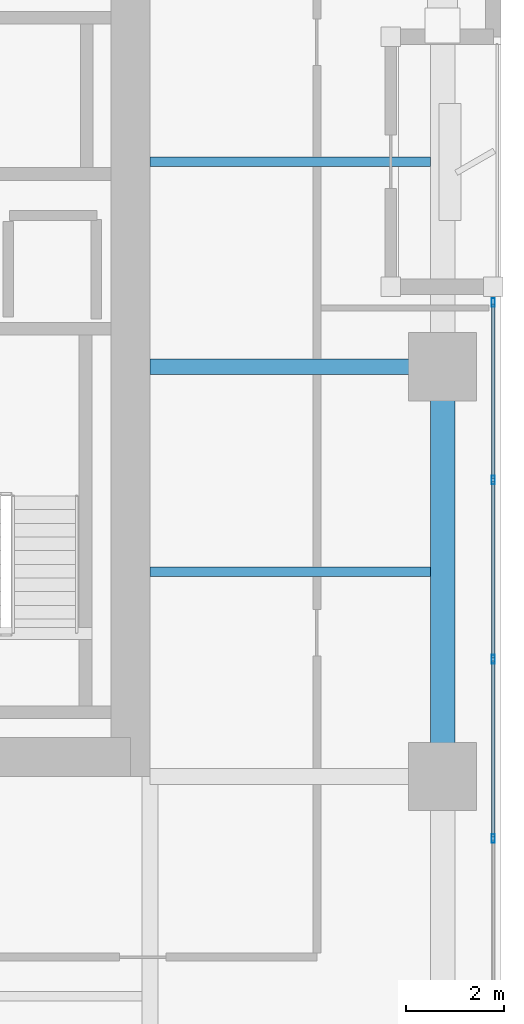
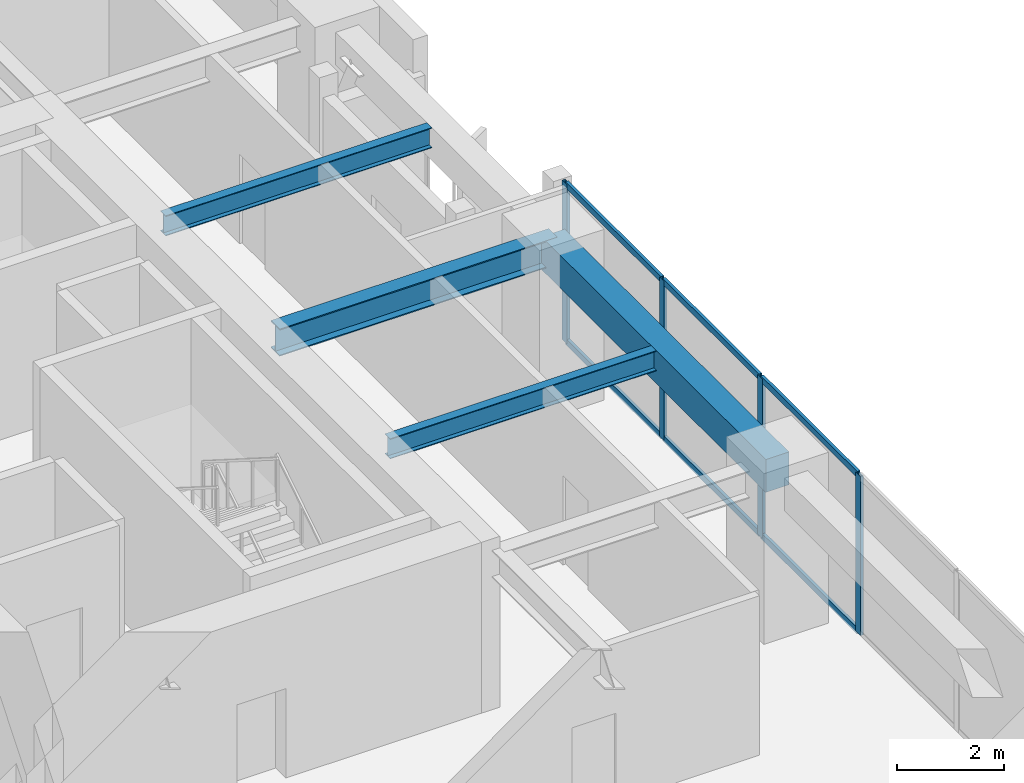
# One storey, part 6 of 24: 10 members, 4 beams, 1 element without a shape of its own.
"""IFC4 building model written with IfcOpenShell, lengths in metres."""

from ifc_helpers import new_model, si_unit, direction, frame, origin, origin_2d, place, context, subcontext, project, spatial, rectangle, hollow_rectangle, i_section, extrude, material, layer, layer_set, material_profile, profile_set, type_object, element, aggregate, save


model = new_model("IFC4")

# Units and contexts
model_context = context("Model", 3, precision=1e-05, world=origin(), true_north=direction((0.0, 1.0)))
body_context = subcontext(model_context, "Body", "Model", "MODEL_VIEW")
ifc_project = project(units=[si_unit("LENGTHUNIT", "METRE"), si_unit("AREAUNIT", "SQUARE_METRE"), si_unit("VOLUMEUNIT", "CUBIC_METRE"), si_unit("PLANEANGLEUNIT", "RADIAN"), si_unit("MASSUNIT", "GRAM", prefix="KILO")], contexts=[model_context])

# Site, building, storey
site_placement = place(None, origin())
site = spatial("IfcSite", under=ifc_project, at=site_placement, CompositionType="ELEMENT")
building_placement = place(site_placement, origin())
building = spatial("IfcBuilding", under=site, at=building_placement, Name="Kiyonajd Concourse Tower", CompositionType="ELEMENT")
storey_placement = place(building_placement, frame((0.0, 0.0, 97.5)))
storey = spatial("IfcBuildingStorey", under=building, at=storey_placement, Name="L25", CompositionType="ELEMENT", Elevation=97.5)

# Beams
ifc_material_1 = material(Name="Steel ASTM A992 Grade 50", Category="steel")
ifc_material_profile_1 = material_profile(ifc_material_1, i_section(OverallWidth=0.19189453125, OverallDepth=0.462890625, WebThickness=0.010498046875, FlangeThickness=0.017578125, at=origin_2d()), Name="W460X89")
ifc_profile_set_1 = profile_set([ifc_material_profile_1], Name="Steel ASTM A992 Grade 50")
beam_type_1 = type_object("IfcBeamType", Name="BM-JST-460B", PredefinedType="JOIST", material=ifc_profile_set_1)
for number, where, z_axis, x_axis, name in (
    (1, (63.60009765625, 31.800048828125, 3.408447265625), (1.0, 0.0, 0.0), (0.0, 1.0, 0.0), "L25 East Secondary Floor Joist"),
    (2, (63.60009765625, 40.199951171875, 3.408447265625), (1.0, 0.0, 0.0), (0.0, 1.0, 0.0), "L25 East Secondary Floor Joist"),
):
    element("IfcBeam", number, at=place(storey_placement, frame(where, z_axis=z_axis, x_axis=x_axis)), inside=storey, type_object=beam_type_1, Name=name, PredefinedType="JOIST", context=body_context, shape_type="SweptSolid", body=[
        extrude(i_section(OverallWidth=0.19189453125, OverallDepth=0.462890625, WebThickness=0.010498046875, FlangeThickness=0.017578125, at=origin_2d()), origin(), (0.0, 0.0, 1.0), 5.75),
    ])
ifc_material_2 = material(Name="Precast concrete C50/60", Category="concrete")
ifc_material_profile_2 = material_profile(ifc_material_2, rectangle(XDim=0.5, YDim=0.75, at=origin_2d()), Name="RCBM-500x750")
ifc_profile_set_2 = profile_set([ifc_material_profile_2], Name="Precast concrete C50/60")
beam_type_2 = type_object("IfcBeamType", Name="BM-SPAN-RC", PredefinedType="SPANDREL", material=ifc_profile_set_2)
beam_1_placement = place(storey_placement, frame((69.60009765625, 27.60009765625, 3.264892578125), z_axis=(0.0, 1.0, 0.0), x_axis=(-1.0, 0.0, 0.0)))
element("IfcBeam", 3, at=beam_1_placement, inside=storey, type_object=beam_type_2, Name="L25 Perimeter Bundled Tube Spandrel", PredefinedType="SPANDREL", context=body_context, shape_type="SweptSolid", body=[
    extrude(rectangle(XDim=0.5, YDim=0.75, at=origin_2d()), origin(), (0.0, 0.0, 1.0), 8.39990234375),
])
ifc_material_profile_3 = material_profile(ifc_material_1, i_section(OverallWidth=0.326904296875, OverallDepth=0.6220703125, WebThickness=0.015380859375, FlangeThickness=0.0244140625, at=origin_2d()), Name="W610X195")
ifc_profile_set_3 = profile_set([ifc_material_profile_3], Name="Steel ASTM A992 Grade 50")
beam_type_3 = type_object("IfcBeamType", Name="BM-TWR-610A", PredefinedType="BEAM", material=ifc_profile_set_3)
beam_2_placement = place(storey_placement, frame((63.60009765625, 36.0, 3.3291015625), z_axis=(1.0, 0.0, 0.0), x_axis=(0.0, 1.0, 0.0)))
element("IfcBeam", 4, at=beam_2_placement, inside=storey, type_object=beam_type_3, Name="L25 East Lease Girder", PredefinedType="BEAM", context=body_context, shape_type="SweptSolid", body=[
    extrude(i_section(OverallWidth=0.326904296875, OverallDepth=0.6220703125, WebThickness=0.015380859375, FlangeThickness=0.0244140625, at=origin_2d()), origin(), (0.0, 0.0, 1.0), 6.0),
])

# Curtain wall, members
ifc_material_3 = material(Name="Thermally Broken Anodised Aluminium", Category="aluminium")
ifc_layer = layer(ifc_material_3, 0.179931640625)
ifc_layer_set = layer_set([ifc_layer], Name="Thermally Broken Anodised Aluminium")
curtain_wall_type = type_object("IfcCurtainWallType", Name="CW-SYS-03", PredefinedType="NOTDEFINED", material=ifc_layer_set)
curtain_wall_placement = place(storey_placement, origin())
curtain_wall = element("IfcCurtainWall", 5, at=curtain_wall_placement, inside=storey, type_object=curtain_wall_type, Name="L25 Unitised Curtain Wall CW3", PredefinedType="NOTDEFINED")
ifc_material_profile_4 = material_profile(ifc_material_3, hollow_rectangle(XDim=0.06494140625, YDim=0.179931640625, WallThickness=0.00390625, at=origin_2d()), Name="MULL-65x180")
ifc_profile_set_4 = profile_set([ifc_material_profile_4], Name="Thermally Broken Anodised Aluminium")
member_type_1 = type_object("IfcMemberType", Name="MB-CW-MULL1", PredefinedType="MULLION", material=ifc_profile_set_4)
member_1_placement = place(storey_placement, frame((70.639892578125, 37.3173828125, 0.0), z_axis=(0.0, 0.0, 1.0), x_axis=(1.0, 0.0, 0.0)))
member_1 = element("IfcMember", 6, at=member_1_placement, type_object=member_type_1, Name="CW3 mullion 1", PredefinedType="MULLION", context=body_context, shape_type="SweptSolid", body=[
    extrude(hollow_rectangle(XDim=0.06494140625, YDim=0.179931640625, WallThickness=0.00390625, at=origin_2d()), origin(), (0.0, 0.0, 1.0), 3.639892578125),
])
member_2_placement = place(storey_placement, frame((70.639892578125, 33.6767578125, 0.0), z_axis=(0.0, 0.0, 1.0), x_axis=(1.0, 0.0, 0.0)))
member_2 = element("IfcMember", 7, at=member_2_placement, type_object=member_type_1, Name="CW3 mullion 2", PredefinedType="MULLION", context=body_context, shape_type="SweptSolid", body=[
    extrude(hollow_rectangle(XDim=0.06494140625, YDim=0.179931640625, WallThickness=0.00390625, at=origin_2d()), origin(), (0.0, 0.0, 1.0), 3.639892578125),
])
member_3_placement = place(storey_placement, frame((70.639892578125, 30.003662109375, 0.0), z_axis=(0.0, 0.0, 1.0), x_axis=(1.0, 0.0, 0.0)))
member_3 = element("IfcMember", 8, at=member_3_placement, type_object=member_type_1, Name="CW3 mullion 3", PredefinedType="MULLION", context=body_context, shape_type="SweptSolid", body=[
    extrude(hollow_rectangle(XDim=0.06494140625, YDim=0.179931640625, WallThickness=0.00390625, at=origin_2d()), origin(), (0.0, 0.0, 1.0), 3.639892578125),
])
member_4_placement = place(storey_placement, frame((70.639892578125, 26.33056640625, 0.0), z_axis=(0.0, 0.0, 1.0), x_axis=(1.0, 0.0, 0.0)))
member_4 = element("IfcMember", 9, at=member_4_placement, type_object=member_type_1, Name="CW3 mullion 4", PredefinedType="MULLION", context=body_context, shape_type="SweptSolid", body=[
    extrude(hollow_rectangle(XDim=0.06494140625, YDim=0.179931640625, WallThickness=0.00390625, at=origin_2d()), origin(), (0.0, 0.0, 1.0), 3.639892578125),
])
ifc_material_profile_5 = material_profile(ifc_material_3, hollow_rectangle(XDim=0.06494140625, YDim=0.139892578125, WallThickness=0.00390625, at=origin_2d()), Name="TRAN-65x140")
ifc_profile_set_5 = profile_set([ifc_material_profile_5], Name="Thermally Broken Anodised Aluminium")
member_type_2 = type_object("IfcMemberType", Name="MB-CW-TRAN1", PredefinedType="USERDEFINED", material=ifc_profile_set_5)
member_5_placement = place(storey_placement, frame((70.639892578125, 37.284912109375, 0.032470703125), z_axis=(0.0, -1.0, 0.0), x_axis=(1.0, 0.0, 0.0)))
member_5 = element("IfcMember", 10, at=member_5_placement, type_object=member_type_2, Name="CW3 transom 1.1", ObjectType="TRANSOM", PredefinedType="USERDEFINED", context=body_context, shape_type="SweptSolid", body=[
    extrude(hollow_rectangle(XDim=0.06494140625, YDim=0.139892578125, WallThickness=0.00390625, at=origin_2d()), origin(), (0.0, 0.0, 1.0), 3.57568359375),
])
member_6_placement = place(storey_placement, frame((70.639892578125, 37.284912109375, 3.607421875), z_axis=(0.0, -1.0, 0.0), x_axis=(1.0, 0.0, 0.0)))
member_6 = element("IfcMember", 11, at=member_6_placement, type_object=member_type_2, Name="CW3 transom 1.2", ObjectType="TRANSOM", PredefinedType="USERDEFINED", context=body_context, shape_type="SweptSolid", body=[
    extrude(hollow_rectangle(XDim=0.06494140625, YDim=0.139892578125, WallThickness=0.00390625, at=origin_2d()), origin(), (0.0, 0.0, 1.0), 3.57568359375),
])
member_7_placement = place(storey_placement, frame((70.639892578125, 33.644287109375, 0.032470703125), z_axis=(0.0, -1.0, 0.0), x_axis=(1.0, 0.0, 0.0)))
member_7 = element("IfcMember", 12, at=member_7_placement, type_object=member_type_2, Name="CW3 transom 2.1", ObjectType="TRANSOM", PredefinedType="USERDEFINED", context=body_context, shape_type="SweptSolid", body=[
    extrude(hollow_rectangle(XDim=0.06494140625, YDim=0.139892578125, WallThickness=0.00390625, at=origin_2d()), origin(), (0.0, 0.0, 1.0), 3.608154296875),
])
member_8_placement = place(storey_placement, frame((70.639892578125, 33.644287109375, 3.607421875), z_axis=(0.0, -1.0, 0.0), x_axis=(1.0, 0.0, 0.0)))
member_8 = element("IfcMember", 13, at=member_8_placement, type_object=member_type_2, Name="CW3 transom 2.2", ObjectType="TRANSOM", PredefinedType="USERDEFINED", context=body_context, shape_type="SweptSolid", body=[
    extrude(hollow_rectangle(XDim=0.06494140625, YDim=0.139892578125, WallThickness=0.00390625, at=origin_2d()), origin(), (0.0, 0.0, 1.0), 3.608154296875),
])
member_9_placement = place(storey_placement, frame((70.639892578125, 29.97119140625, 0.032470703125), z_axis=(0.0, -1.0, 0.0), x_axis=(1.0, 0.0, 0.0)))
member_9 = element("IfcMember", 14, at=member_9_placement, type_object=member_type_2, Name="CW3 transom 3.1", ObjectType="TRANSOM", PredefinedType="USERDEFINED", context=body_context, shape_type="SweptSolid", body=[
    extrude(hollow_rectangle(XDim=0.06494140625, YDim=0.139892578125, WallThickness=0.00390625, at=origin_2d()), origin(), (0.0, 0.0, 1.0), 3.608154296875),
])
member_10_placement = place(storey_placement, frame((70.639892578125, 29.97119140625, 3.607421875), z_axis=(0.0, -1.0, 0.0), x_axis=(1.0, 0.0, 0.0)))
member_10 = element("IfcMember", 15, at=member_10_placement, type_object=member_type_2, Name="CW3 transom 3.2", ObjectType="TRANSOM", PredefinedType="USERDEFINED", context=body_context, shape_type="SweptSolid", body=[
    extrude(hollow_rectangle(XDim=0.06494140625, YDim=0.139892578125, WallThickness=0.00390625, at=origin_2d()), origin(), (0.0, 0.0, 1.0), 3.608154296875),
])
aggregate(curtain_wall, [member_1, member_2, member_3, member_4, member_5, member_6, member_7, member_8, member_9, member_10])

save(model, "model.ifc")
